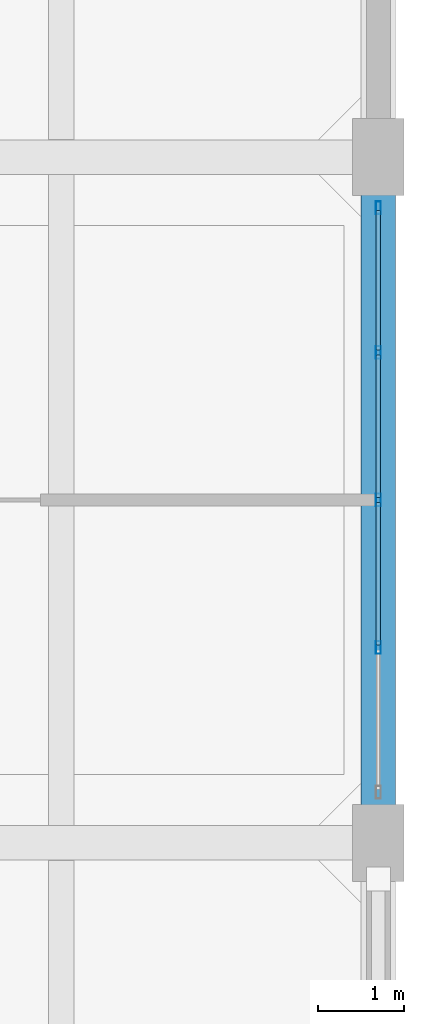
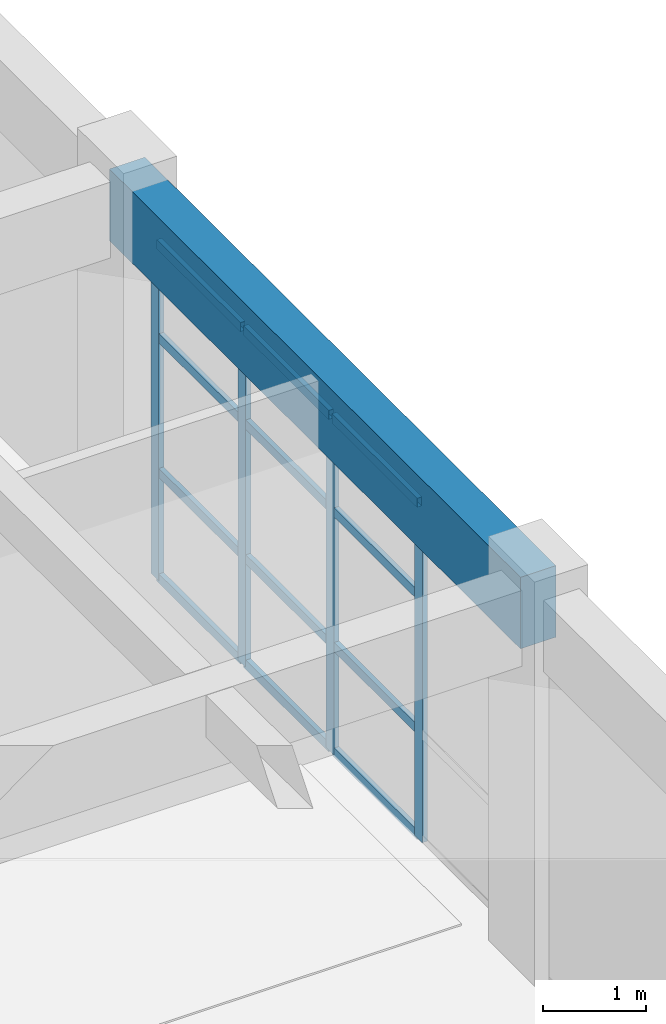
# One storey, part 34 of 63: 16 members, 1 beam, 1 element without a shape of its own.
"""IFC4 building model written with IfcOpenShell, lengths in metres."""

from ifc_helpers import new_model, si_unit, direction, frame, origin, origin_2d, place, context, subcontext, project, spatial, rectangle, hollow_rectangle, extrude, material, layer, layer_set, material_profile, profile_set, type_object, element, aggregate, save


model = new_model("IFC4")

# Units and contexts
model_context = context("Model", 3, precision=1e-05, world=origin(), true_north=direction((0.0, 1.0)))
body_context = subcontext(model_context, "Body", "Model", "MODEL_VIEW")
ifc_project = project(units=[si_unit("LENGTHUNIT", "METRE"), si_unit("AREAUNIT", "SQUARE_METRE"), si_unit("VOLUMEUNIT", "CUBIC_METRE"), si_unit("PLANEANGLEUNIT", "RADIAN"), si_unit("MASSUNIT", "GRAM", prefix="KILO")], contexts=[model_context])

# Site, building, storey
site_placement = place(None, origin())
site = spatial("IfcSite", under=ifc_project, at=site_placement, CompositionType="ELEMENT")
building_placement = place(site_placement, origin())
building = spatial("IfcBuilding", under=site, at=building_placement, Name="Canggui Botanical Conservatory", CompositionType="ELEMENT")
storey_placement = place(building_placement, frame((0.0, 0.0, 10.199951171875)))
storey = spatial("IfcBuildingStorey", under=building, at=storey_placement, Name="L03", CompositionType="ELEMENT", Elevation=10.199951171875)

# Beam
ifc_material_1 = material(Name="Concrete C35", Category="concrete")
ifc_material_profile_1 = material_profile(ifc_material_1, rectangle(XDim=0.39990234375, YDim=0.85009765625, at=origin_2d()), Name="RB 400x850")
ifc_profile_set_1 = profile_set([ifc_material_profile_1], Name="Concrete C35")
beam_type = type_object("IfcBeamType", Name="BM-KL08", PredefinedType="BEAM", material=ifc_profile_set_1)
beam_placement = place(storey_placement, frame((177.39990234375, 50.0, 4.125), z_axis=(0.0, 1.0, 0.0), x_axis=(-1.0, 0.0, 0.0)))
element("IfcBeam", 1, at=beam_placement, inside=storey, type_object=beam_type, Name="Frame Girder L03 X178-4", PredefinedType="BEAM", context=body_context, shape_type="SweptSolid", body=[
    extrude(rectangle(XDim=0.39990234375, YDim=0.85009765625, at=origin_2d()), origin(), (0.0, 0.0, 1.0), 8.0),
])

# Curtain wall, members
ifc_material_2 = material(Name="Thermally Broken Aluminium", Category="aluminium")
ifc_layer = layer(ifc_material_2, 0.14990234375, Name="Thermally Broken Aluminium", Category="aluminium")
ifc_layer_set = layer_set([ifc_layer], Name="Thermally Broken Aluminium")
curtain_wall_type = type_object("IfcCurtainWallType", Name="CW-UNIT-C", PredefinedType="USERDEFINED", material=ifc_layer_set)
curtain_wall_placement = place(storey_placement, origin())
curtain_wall = element("IfcCurtainWall", 2, at=curtain_wall_placement, inside=storey, type_object=curtain_wall_type, Name="Facade Curtain Wall CW-TWR-L03-23", ObjectType="UNITISED CURTAIN WALL", PredefinedType="USERDEFINED")
ifc_material_profile_2 = material_profile(ifc_material_2, hollow_rectangle(XDim=0.06005859375, YDim=0.14990234375, WallThickness=0.00341796875, at=origin_2d()), Name="CWM 60x150x3.5")
ifc_profile_set_2 = profile_set([ifc_material_profile_2], Name="Thermally Broken Aluminium")
member_type_1 = type_object("IfcMemberType", Name="CWM-03", PredefinedType="MULLION", material=ifc_profile_set_2)
member_1_placement = place(storey_placement, frame((177.39990234375, 57.409912109375, 0.0), z_axis=(0.0, 0.0, 1.0), x_axis=(1.0, 0.0, 0.0)))
member_1 = element("IfcMember", 3, at=member_1_placement, type_object=member_type_1, Name="CW-03 mullion 1", PredefinedType="MULLION", context=body_context, shape_type="SweptSolid", body=[
    extrude(hollow_rectangle(XDim=0.06005859375, YDim=0.14990234375, WallThickness=0.00341796875, at=origin_2d()), origin(), (0.0, 0.0, 1.0), 4.0),
])
member_2_placement = place(storey_placement, frame((177.39990234375, 55.719970703125, 0.0), z_axis=(0.0, 0.0, 1.0), x_axis=(1.0, 0.0, 0.0)))
member_2 = element("IfcMember", 4, at=member_2_placement, type_object=member_type_1, Name="CW-03 mullion 2", PredefinedType="MULLION", context=body_context, shape_type="SweptSolid", body=[
    extrude(hollow_rectangle(XDim=0.06005859375, YDim=0.14990234375, WallThickness=0.00341796875, at=origin_2d()), origin(), (0.0, 0.0, 1.0), 4.0),
])
member_3_placement = place(storey_placement, frame((177.39990234375, 54.0, 0.0), z_axis=(0.0, 0.0, 1.0), x_axis=(1.0, 0.0, 0.0)))
member_3 = element("IfcMember", 5, at=member_3_placement, type_object=member_type_1, Name="CW-03 mullion 3", PredefinedType="MULLION", context=body_context, shape_type="SweptSolid", body=[
    extrude(hollow_rectangle(XDim=0.06005859375, YDim=0.14990234375, WallThickness=0.00341796875, at=origin_2d()), origin(), (0.0, 0.0, 1.0), 4.0),
])
member_4_placement = place(storey_placement, frame((177.39990234375, 52.280029296875, 0.0), z_axis=(0.0, 0.0, 1.0), x_axis=(1.0, 0.0, 0.0)))
member_4 = element("IfcMember", 6, at=member_4_placement, type_object=member_type_1, Name="CW-03 mullion 4", PredefinedType="MULLION", context=body_context, shape_type="SweptSolid", body=[
    extrude(hollow_rectangle(XDim=0.06005859375, YDim=0.14990234375, WallThickness=0.00341796875, at=origin_2d()), origin(), (0.0, 0.0, 1.0), 4.0),
])
ifc_material_profile_3 = material_profile(ifc_material_2, hollow_rectangle(XDim=0.054931640625, YDim=0.110107421875, WallThickness=0.0029296875, at=origin_2d()), Name="CWT 55x110x3")
ifc_profile_set_3 = profile_set([ifc_material_profile_3], Name="Thermally Broken Aluminium")
member_type_2 = type_object("IfcMemberType", Name="CWT-03", PredefinedType="USERDEFINED", material=ifc_profile_set_3)
member_5_placement = place(storey_placement, frame((177.39990234375, 57.3798828125, 0.027587890625), z_axis=(0.0, -1.0, 0.0), x_axis=(1.0, 0.0, 0.0)))
member_5 = element("IfcMember", 7, at=member_5_placement, type_object=member_type_2, Name="CW-03 transom 1.1", ObjectType="TRANSOM", PredefinedType="USERDEFINED", context=body_context, shape_type="SweptSolid", body=[
    extrude(hollow_rectangle(XDim=0.054931640625, YDim=0.110107421875, WallThickness=0.0029296875, at=origin_2d()), origin(), (0.0, 0.0, 1.0), 1.6298828125),
])
member_6_placement = place(storey_placement, frame((177.39990234375, 57.3798828125, 1.280029296875), z_axis=(0.0, -1.0, 0.0), x_axis=(1.0, 0.0, 0.0)))
member_6 = element("IfcMember", 8, at=member_6_placement, type_object=member_type_2, Name="CW-03 transom 1.2", ObjectType="TRANSOM", PredefinedType="USERDEFINED", context=body_context, shape_type="SweptSolid", body=[
    extrude(hollow_rectangle(XDim=0.054931640625, YDim=0.110107421875, WallThickness=0.0029296875, at=origin_2d()), origin(), (0.0, 0.0, 1.0), 1.6298828125),
])
member_7_placement = place(storey_placement, frame((177.39990234375, 57.3798828125, 2.880126953125), z_axis=(0.0, -1.0, 0.0), x_axis=(1.0, 0.0, 0.0)))
member_7 = element("IfcMember", 9, at=member_7_placement, type_object=member_type_2, Name="CW-03 transom 1.3", ObjectType="TRANSOM", PredefinedType="USERDEFINED", context=body_context, shape_type="SweptSolid", body=[
    extrude(hollow_rectangle(XDim=0.054931640625, YDim=0.110107421875, WallThickness=0.0029296875, at=origin_2d()), origin(), (0.0, 0.0, 1.0), 1.6298828125),
])
member_8_placement = place(storey_placement, frame((177.39990234375, 57.3798828125, 3.97265625), z_axis=(0.0, -1.0, 0.0), x_axis=(1.0, 0.0, 0.0)))
member_8 = element("IfcMember", 10, at=member_8_placement, type_object=member_type_2, Name="CW-03 transom 1.4", ObjectType="TRANSOM", PredefinedType="USERDEFINED", context=body_context, shape_type="SweptSolid", body=[
    extrude(hollow_rectangle(XDim=0.054931640625, YDim=0.110107421875, WallThickness=0.0029296875, at=origin_2d()), origin(), (0.0, 0.0, 1.0), 1.6298828125),
])
member_9_placement = place(storey_placement, frame((177.39990234375, 55.68994140625, 0.027587890625), z_axis=(0.0, -1.0, 0.0), x_axis=(1.0, 0.0, 0.0)))
member_9 = element("IfcMember", 11, at=member_9_placement, type_object=member_type_2, Name="CW-03 transom 2.1", ObjectType="TRANSOM", PredefinedType="USERDEFINED", context=body_context, shape_type="SweptSolid", body=[
    extrude(hollow_rectangle(XDim=0.054931640625, YDim=0.110107421875, WallThickness=0.0029296875, at=origin_2d()), origin(), (0.0, 0.0, 1.0), 1.659912109375),
])
member_10_placement = place(storey_placement, frame((177.39990234375, 55.68994140625, 1.280029296875), z_axis=(0.0, -1.0, 0.0), x_axis=(1.0, 0.0, 0.0)))
member_10 = element("IfcMember", 12, at=member_10_placement, type_object=member_type_2, Name="CW-03 transom 2.2", ObjectType="TRANSOM", PredefinedType="USERDEFINED", context=body_context, shape_type="SweptSolid", body=[
    extrude(hollow_rectangle(XDim=0.054931640625, YDim=0.110107421875, WallThickness=0.0029296875, at=origin_2d()), origin(), (0.0, 0.0, 1.0), 1.659912109375),
])
member_11_placement = place(storey_placement, frame((177.39990234375, 55.68994140625, 2.880126953125), z_axis=(0.0, -1.0, 0.0), x_axis=(1.0, 0.0, 0.0)))
member_11 = element("IfcMember", 13, at=member_11_placement, type_object=member_type_2, Name="CW-03 transom 2.3", ObjectType="TRANSOM", PredefinedType="USERDEFINED", context=body_context, shape_type="SweptSolid", body=[
    extrude(hollow_rectangle(XDim=0.054931640625, YDim=0.110107421875, WallThickness=0.0029296875, at=origin_2d()), origin(), (0.0, 0.0, 1.0), 1.659912109375),
])
member_12_placement = place(storey_placement, frame((177.39990234375, 55.68994140625, 3.97265625), z_axis=(0.0, -1.0, 0.0), x_axis=(1.0, 0.0, 0.0)))
member_12 = element("IfcMember", 14, at=member_12_placement, type_object=member_type_2, Name="CW-03 transom 2.4", ObjectType="TRANSOM", PredefinedType="USERDEFINED", context=body_context, shape_type="SweptSolid", body=[
    extrude(hollow_rectangle(XDim=0.054931640625, YDim=0.110107421875, WallThickness=0.0029296875, at=origin_2d()), origin(), (0.0, 0.0, 1.0), 1.659912109375),
])
member_13_placement = place(storey_placement, frame((177.39990234375, 53.969970703125, 0.027587890625), z_axis=(0.0, -1.0, 0.0), x_axis=(1.0, 0.0, 0.0)))
member_13 = element("IfcMember", 15, at=member_13_placement, type_object=member_type_2, Name="CW-03 transom 3.1", ObjectType="TRANSOM", PredefinedType="USERDEFINED", context=body_context, shape_type="SweptSolid", body=[
    extrude(hollow_rectangle(XDim=0.054931640625, YDim=0.110107421875, WallThickness=0.0029296875, at=origin_2d()), origin(), (0.0, 0.0, 1.0), 1.659912109375),
])
member_14_placement = place(storey_placement, frame((177.39990234375, 53.969970703125, 1.280029296875), z_axis=(0.0, -1.0, 0.0), x_axis=(1.0, 0.0, 0.0)))
member_14 = element("IfcMember", 16, at=member_14_placement, type_object=member_type_2, Name="CW-03 transom 3.2", ObjectType="TRANSOM", PredefinedType="USERDEFINED", context=body_context, shape_type="SweptSolid", body=[
    extrude(hollow_rectangle(XDim=0.054931640625, YDim=0.110107421875, WallThickness=0.0029296875, at=origin_2d()), origin(), (0.0, 0.0, 1.0), 1.659912109375),
])
member_15_placement = place(storey_placement, frame((177.39990234375, 53.969970703125, 2.880126953125), z_axis=(0.0, -1.0, 0.0), x_axis=(1.0, 0.0, 0.0)))
member_15 = element("IfcMember", 17, at=member_15_placement, type_object=member_type_2, Name="CW-03 transom 3.3", ObjectType="TRANSOM", PredefinedType="USERDEFINED", context=body_context, shape_type="SweptSolid", body=[
    extrude(hollow_rectangle(XDim=0.054931640625, YDim=0.110107421875, WallThickness=0.0029296875, at=origin_2d()), origin(), (0.0, 0.0, 1.0), 1.659912109375),
])
member_16_placement = place(storey_placement, frame((177.39990234375, 53.969970703125, 3.97265625), z_axis=(0.0, -1.0, 0.0), x_axis=(1.0, 0.0, 0.0)))
member_16 = element("IfcMember", 18, at=member_16_placement, type_object=member_type_2, Name="CW-03 transom 3.4", ObjectType="TRANSOM", PredefinedType="USERDEFINED", context=body_context, shape_type="SweptSolid", body=[
    extrude(hollow_rectangle(XDim=0.054931640625, YDim=0.110107421875, WallThickness=0.0029296875, at=origin_2d()), origin(), (0.0, 0.0, 1.0), 1.659912109375),
])
aggregate(curtain_wall, [member_1, member_2, member_3, member_4, member_5, member_6, member_7, member_8, member_9, member_10, member_11, member_12, member_13, member_14, member_15, member_16])

save(model, "model.ifc")
